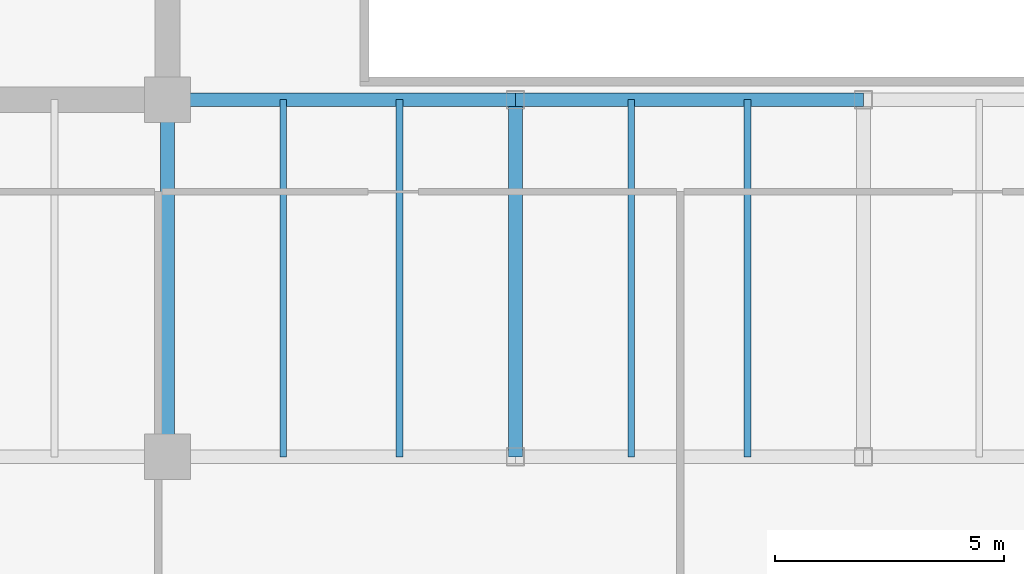
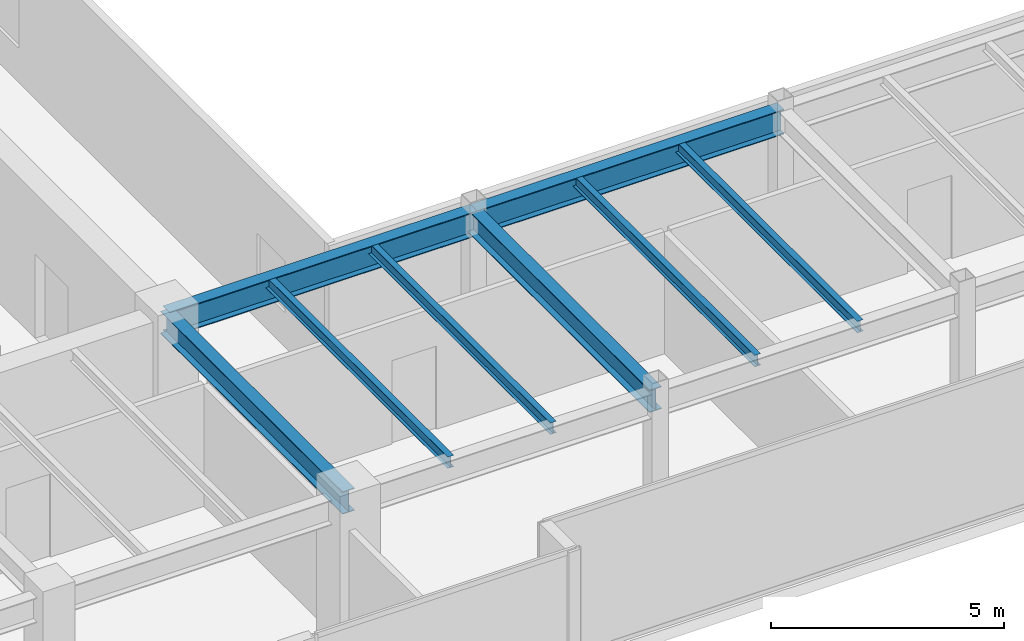
# One storey, part 7 of 34: 8 beams.
"""IFC4 building model written with IfcOpenShell, lengths in metres."""

from ifc_helpers import new_model, si_unit, direction, frame, origin, origin_2d, place, context, subcontext, project, spatial, i_section, extrude, source, transform, mapped, material, material_profile, profile_set, type_object, type_shapes, element, save


model = new_model("IFC4")

# Units and contexts
model_context = context("Model", 3, precision=1e-05, world=origin(), true_north=direction((0.0, 1.0)))
body_context = subcontext(model_context, "Body", "Model", "MODEL_VIEW")
ifc_project = project(units=[si_unit("LENGTHUNIT", "METRE"), si_unit("AREAUNIT", "SQUARE_METRE"), si_unit("VOLUMEUNIT", "CUBIC_METRE"), si_unit("PLANEANGLEUNIT", "RADIAN"), si_unit("MASSUNIT", "GRAM", prefix="KILO")], contexts=[model_context])

# Site, building, storey
site_placement = place(None, origin())
site = spatial("IfcSite", under=ifc_project, at=site_placement, CompositionType="ELEMENT")
building_placement = place(site_placement, origin())
building = spatial("IfcBuilding", under=site, at=building_placement, Name="Haelvirn Gate Laboratories", CompositionType="ELEMENT")
storey_placement = place(building_placement, frame((0.0, 0.0, 205.5)))
storey = spatial("IfcBuildingStorey", under=building, at=storey_placement, Name="L49", CompositionType="ELEMENT", Elevation=205.5)

# Beams
ifc_material = material(Name="Steel SM355", Category="steel")
ifc_material_profile_1 = material_profile(ifc_material, i_section(OverallWidth=0.14990234375, OverallDepth=0.300048828125, WebThickness=0.006591796875, FlangeThickness=0.009033203125, at=origin_2d()), Name="H-300x150x6.5x9")
ifc_profile_set_1 = profile_set([ifc_material_profile_1], Name="Steel SM355")
beam_type_1 = type_object("IfcBeamType", Name="BM-J-300", PredefinedType="JOIST", material=ifc_profile_set_1)
shared_shape_1 = source(origin(), body_context, "Body", "SweptSolid", [
    extrude(i_section(OverallWidth=0.14990234375, OverallDepth=0.300048828125, WebThickness=0.006591796875, FlangeThickness=0.009033203125, at=origin_2d()), origin(), (0.0, 0.0, 1.0), 7.800048828125),
])
type_shapes(beam_type_1, [shared_shape_1])
for number, where, z_axis, x_axis, name in (
    (1, (24.72998046875, 7.0, 3.64990234375), (0.0, 1.0, 0.0), (-1.0, 0.0, 0.0), "L49 Composite Lab Joist South X24.73"),
    (2, (27.27001953125, 7.0, 3.64990234375), (0.0, 1.0, 0.0), (-1.0, 0.0, 0.0), "L49 Composite Lab Joist South X27.27"),
    (3, (32.330078125, 7.0, 3.64990234375), (0.0, 1.0, 0.0), (-1.0, 0.0, 0.0), "L49 Composite Lab Joist South X32.33"),
    (4, (34.8701171875, 7.0, 3.64990234375), (0.0, 1.0, 0.0), (-1.0, 0.0, 0.0), "L49 Composite Lab Joist South X34.87"),
):
    element("IfcBeam", number, at=place(storey_placement, frame(where, z_axis=z_axis, x_axis=x_axis)), inside=storey, type_object=beam_type_1, Name=name, PredefinedType="JOIST", context=body_context, shape_type="MappedRepresentation", body=[
        mapped(shared_shape_1, transform((0.0, 0.0, 0.0), scale=1.0)),
    ])
ifc_material_profile_2 = material_profile(ifc_material, i_section(OverallWidth=0.300048828125, OverallDepth=0.587890625, WebThickness=0.011962890625, FlangeThickness=0.02001953125, at=origin_2d()), Name="H-588x300x12x20")
ifc_profile_set_2 = profile_set([ifc_material_profile_2], Name="Steel SM355")
beam_type_2 = type_object("IfcBeamType", Name="BM-G-588", PredefinedType="BEAM", material=ifc_profile_set_2)
shared_shape_2 = source(origin(), body_context, "Body", "SweptSolid", [
    extrude(i_section(OverallWidth=0.300048828125, OverallDepth=0.587890625, WebThickness=0.011962890625, FlangeThickness=0.02001953125, at=origin_2d()), origin(), (0.0, 0.0, 1.0), 7.800048828125),
])
type_shapes(beam_type_2, [shared_shape_2])
for number, where, z_axis, x_axis, name in (
    (5, (22.199951171875, 7.0, 3.506103515625), (0.0, 1.0, 0.0), (-1.0, 0.0, 0.0), "L49 Frame Girder X22.2 (7.0-14.8)"),
    (6, (29.800048828125, 7.0, 3.506103515625), (0.0, 1.0, 0.0), (-1.0, 0.0, 0.0), "L49 Frame Girder X29.8 (7.0-14.8)"),
):
    element("IfcBeam", number, at=place(storey_placement, frame(where, z_axis=z_axis, x_axis=x_axis)), inside=storey, type_object=beam_type_2, Name=name, PredefinedType="BEAM", context=body_context, shape_type="MappedRepresentation", body=[
        mapped(shared_shape_2, transform((0.0, 0.0, 0.0), scale=1.0)),
    ])
ifc_material_profile_3 = material_profile(ifc_material, i_section(OverallWidth=0.300048828125, OverallDepth=0.64990234375, WebThickness=0.012939453125, FlangeThickness=0.02197265625, at=origin_2d()), Name="H-650x300x13x22")
ifc_profile_set_3 = profile_set([ifc_material_profile_3], Name="Steel SM355")
beam_type_3 = type_object("IfcBeamType", Name="BM-G-650", PredefinedType="BEAM", material=ifc_profile_set_3)
shared_shape_3 = source(origin(), body_context, "Body", "SweptSolid", [
    extrude(i_section(OverallWidth=0.300048828125, OverallDepth=0.64990234375, WebThickness=0.012939453125, FlangeThickness=0.02197265625, at=origin_2d()), origin(), (0.0, 0.0, 1.0), 7.60009765625),
])
beam_1_placement = place(storey_placement, frame((22.199951171875, 14.800048828125, 3.47509765625), z_axis=(1.0, 0.0, 0.0), x_axis=(0.0, 1.0, 0.0)))
element("IfcBeam", 7, at=beam_1_placement, inside=storey, type_object=beam_type_3, Name="L49 Primary Girder Y14.8 (22.2-29.8)", PredefinedType="BEAM", context=body_context, shape_type="MappedRepresentation", body=[
    mapped(shared_shape_3, transform((0.0, 0.0, 0.0), scale=1.0)),
])
shared_shape_4 = source(origin(), body_context, "Body", "SweptSolid", [
    extrude(i_section(OverallWidth=0.300048828125, OverallDepth=0.64990234375, WebThickness=0.012939453125, FlangeThickness=0.02197265625, at=origin_2d()), origin(), (0.0, 0.0, 1.0), 7.599853515625),
])
type_shapes(beam_type_3, [shared_shape_3, shared_shape_4])
beam_2_placement = place(storey_placement, frame((29.800048828125, 14.800048828125, 3.47509765625), z_axis=(1.0, 0.0, 0.0), x_axis=(0.0, 1.0, 0.0)))
element("IfcBeam", 8, at=beam_2_placement, inside=storey, type_object=beam_type_3, Name="L49 Primary Girder Y14.8 (29.8-37.4)", PredefinedType="BEAM", context=body_context, shape_type="MappedRepresentation", body=[
    mapped(shared_shape_4, transform((0.0, 0.0, 0.0), scale=1.0)),
])

save(model, "model.ifc")
